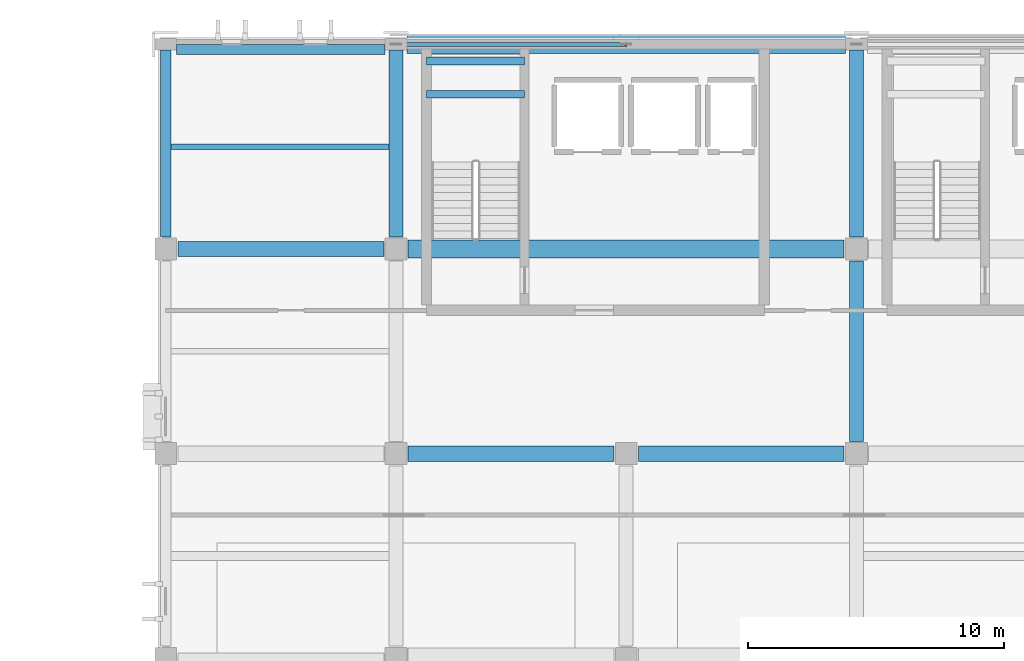
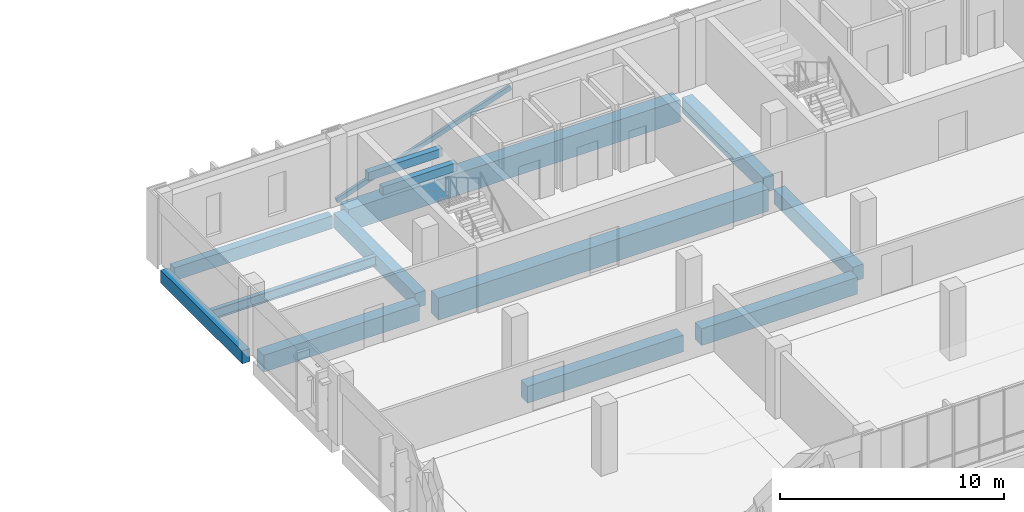
# One storey, part 30 of 85: 13 beams, 1 member.
"""IFC4 building model written with IfcOpenShell, lengths in metres."""

from ifc_helpers import new_model, si_unit, direction, frame, origin, origin_2d, place, context, subcontext, project, spatial, rectangle, hollow_rectangle, i_section, extrude, material, material_profile, profile_set, type_object, element, save


model = new_model("IFC4")

# Units and contexts
model_context = context("Model", 3, precision=1e-05, world=origin(), true_north=direction((0.0, 1.0)))
body_context = subcontext(model_context, "Body", "Model", "MODEL_VIEW")
ifc_project = project(units=[si_unit("LENGTHUNIT", "METRE"), si_unit("AREAUNIT", "SQUARE_METRE"), si_unit("VOLUMEUNIT", "CUBIC_METRE"), si_unit("PLANEANGLEUNIT", "RADIAN"), si_unit("MASSUNIT", "GRAM", prefix="KILO")], contexts=[model_context])

# Site, building, storey
site_placement = place(None, origin())
site = spatial("IfcSite", under=ifc_project, at=site_placement, CompositionType="ELEMENT")
building_placement = place(site_placement, origin())
building = spatial("IfcBuilding", under=site, at=building_placement, Name="Vervanel Yard Central Library", CompositionType="ELEMENT")
storey_placement = place(building_placement, frame((0.0, 0.0, 5.10009765625)))
storey = spatial("IfcBuildingStorey", under=building, at=storey_placement, Name="L01", CompositionType="ELEMENT", Elevation=5.10009765625)

# Beams
ifc_material_1 = material(Name="Concrete C40/50", Category="concrete")
ifc_material_profile_1 = material_profile(ifc_material_1, rectangle(XDim=0.300048828125, YDim=0.449951171875, at=origin_2d()), Name="RC 300x450", Category="concrete")
ifc_profile_set_1 = profile_set([ifc_material_profile_1], Name="Concrete C40/50")
beam_type_1 = type_object("IfcBeamType", Name="Concrete Opening Lintel 300x450", PredefinedType="LINTEL", material=ifc_profile_set_1)
for number, where, z_axis, x_axis, name in (
    (1, (46.199951171875, 112.050048828125, 1.494873046875), (1.0, 0.0, 0.0), (0.0, 1.0, 0.0), "L01 CORE-A Stair Landing Beam 3"),
    (2, (46.199951171875, 113.35009765625, 1.494873046875), (1.0, 0.0, 0.0), (0.0, 1.0, 0.0), "L01 CORE-A Stair Landing Beam 4"),
):
    element("IfcBeam", number, at=place(storey_placement, frame(where, z_axis=z_axis, x_axis=x_axis)), inside=storey, type_object=beam_type_1, Name=name, PredefinedType="LINTEL", context=body_context, shape_type="SweptSolid", body=[
        extrude(rectangle(XDim=0.300048828125, YDim=0.449951171875, at=origin_2d()), origin(), (0.0, 0.0, 1.0), 3.824951171875),
    ])
ifc_material_profile_2 = material_profile(ifc_material_1, rectangle(XDim=0.39990234375, YDim=0.699951171875, at=origin_2d()), Name="RC 400x700", Category="concrete")
ifc_profile_set_2 = profile_set([ifc_material_profile_2], Name="Concrete C40/50")
beam_type_2 = type_object("IfcBeamType", Name="Concrete Perimeter Spandrel 400x700", PredefinedType="SPANDREL", material=ifc_profile_set_2)
beam_1_placement = place(storey_placement, frame((36.425048828125, 113.800048828125, -0.655029296875), z_axis=(1.0, 0.0, 0.0), x_axis=(0.0, 1.0, 0.0)))
element("IfcBeam", 3, at=beam_1_placement, inside=storey, type_object=beam_type_2, Name="L01 Girder SP-01 Y=114.0 X=36.0-45.0", PredefinedType="SPANDREL", context=body_context, shape_type="SweptSolid", body=[
    extrude(rectangle(XDim=0.39990234375, YDim=0.699951171875, at=origin_2d()), origin(), (0.0, 0.0, 1.0), 8.14990234375),
])
beam_2_placement = place(storey_placement, frame((36.0, 106.47509765625, -0.655029296875), z_axis=(0.0, 1.0, 0.0), x_axis=(-1.0, 0.0, 0.0)))
element("IfcBeam", 4, at=beam_2_placement, inside=storey, type_object=beam_type_2, Name="L01 Girder SP-01 X=36.0 Y=106.0-114.0", PredefinedType="SPANDREL", context=body_context, shape_type="SweptSolid", body=[
    extrude(rectangle(XDim=0.39990234375, YDim=0.699951171875, at=origin_2d()), origin(), (0.0, 0.0, 1.0), 7.2998046875),
])
ifc_material_profile_3 = material_profile(ifc_material_1, rectangle(XDim=0.550048828125, YDim=0.800048828125, at=origin_2d()), Name="RC 550x800", Category="concrete")
ifc_profile_set_3 = profile_set([ifc_material_profile_3], Name="Concrete C40/50")
beam_type_3 = type_object("IfcBeamType", Name="Concrete Primary Girder 550x800", PredefinedType="BEAM", material=ifc_profile_set_3)
beam_3_placement = place(storey_placement, frame((45.0, 106.47509765625, -0.705078125), z_axis=(0.0, 1.0, 0.0), x_axis=(-1.0, 0.0, 0.0)))
element("IfcBeam", 5, at=beam_3_placement, inside=storey, type_object=beam_type_3, Name="L01 Girder CB-02 X=45.0 Y=106.0-114.0", PredefinedType="BEAM", context=body_context, shape_type="SweptSolid", body=[
    extrude(rectangle(XDim=0.550048828125, YDim=0.800048828125, at=origin_2d()), origin(), (0.0, 0.0, 1.0), 7.2998046875),
])
beam_4_placement = place(storey_placement, frame((63.0, 98.47509765625, -0.705078125), z_axis=(0.0, 1.0, 0.0), x_axis=(-1.0, 0.0, 0.0)))
element("IfcBeam", 6, at=beam_4_placement, inside=storey, type_object=beam_type_3, Name="L01 Girder CB-02 X=63.0 Y=98.0-106.0", PredefinedType="BEAM", context=body_context, shape_type="SweptSolid", body=[
    extrude(rectangle(XDim=0.550048828125, YDim=0.800048828125, at=origin_2d()), origin(), (0.0, 0.0, 1.0), 7.0498046875),
])
beam_5_placement = place(storey_placement, frame((63.0, 106.47509765625, -0.705078125), z_axis=(0.0, 1.0, 0.0), x_axis=(-1.0, 0.0, 0.0)))
element("IfcBeam", 7, at=beam_5_placement, inside=storey, type_object=beam_type_3, Name="L01 Girder CB-02 X=63.0 Y=106.0-114.0", PredefinedType="BEAM", context=body_context, shape_type="SweptSolid", body=[
    extrude(rectangle(XDim=0.550048828125, YDim=0.800048828125, at=origin_2d()), origin(), (0.0, 0.0, 1.0), 7.2998046875),
])
ifc_material_2 = material(Name="Concrete C45/55", Category="concrete")
ifc_material_profile_4 = material_profile(ifc_material_2, rectangle(XDim=0.60009765625, YDim=0.919921875, at=origin_2d()), Name="RC 600x920", Category="concrete")
ifc_profile_set_4 = profile_set([ifc_material_profile_4], Name="Concrete C45/55")
beam_type_4 = type_object("IfcBeamType", Name="Concrete Stack Girder 600x920", PredefinedType="BEAM", material=ifc_profile_set_4)
for number, where, z_axis, x_axis, name in (
    (8, (45.47509765625, 98.0, -0.76513671875), (1.0, 0.0, 0.0), (0.0, 1.0, 0.0), "L01 Girder CB-07 Y=98.0 X=45.0-54.0"),
    (9, (54.47509765625, 98.0, -0.76513671875), (1.0, 0.0, 0.0), (0.0, 1.0, 0.0), "L01 Girder CB-07 Y=98.0 X=54.0-63.0"),
    (10, (36.47509765625, 106.0, -0.76513671875), (1.0, 0.0, 0.0), (0.0, 1.0, 0.0), "L01 Girder CB-07 Y=106.0 X=36.0-45.0"),
):
    element("IfcBeam", number, at=place(storey_placement, frame(where, z_axis=z_axis, x_axis=x_axis)), inside=storey, type_object=beam_type_4, Name=name, PredefinedType="BEAM", context=body_context, shape_type="SweptSolid", body=[
        extrude(rectangle(XDim=0.60009765625, YDim=0.919921875, at=origin_2d()), origin(), (0.0, 0.0, 1.0), 8.0498046875),
    ])
ifc_material_profile_5 = material_profile(ifc_material_2, rectangle(XDim=0.699951171875, YDim=1.199951171875, at=origin_2d()), Name="RC 700x1200", Category="concrete")
ifc_profile_set_5 = profile_set([ifc_material_profile_5], Name="Concrete C45/55")
beam_type_5 = type_object("IfcBeamType", Name="Concrete Transfer Girder 700x1200", PredefinedType="BEAM", material=ifc_profile_set_5)
beam_6_placement = place(storey_placement, frame((45.47509765625, 106.0, -0.905029296875), z_axis=(1.0, 0.0, 0.0), x_axis=(0.0, 1.0, 0.0)))
element("IfcBeam", 11, at=beam_6_placement, inside=storey, type_object=beam_type_5, Name="L01 Girder TG-01 Y=106.0 X=45.0-63.0", PredefinedType="BEAM", context=body_context, shape_type="SweptSolid", body=[
    extrude(rectangle(XDim=0.699951171875, YDim=1.199951171875, at=origin_2d()), origin(), (0.0, 0.0, 1.0), 17.0498046875),
])
beam_7_placement = place(storey_placement, frame((45.425048828125, 114.0, -0.905029296875), z_axis=(1.0, 0.0, 0.0), x_axis=(0.0, 1.0, 0.0)))
element("IfcBeam", 12, at=beam_7_placement, inside=storey, type_object=beam_type_5, Name="L01 Girder TG-01 Y=114.0 X=45.0-63.0", PredefinedType="BEAM", context=body_context, shape_type="SweptSolid", body=[
    extrude(rectangle(XDim=0.699951171875, YDim=1.199951171875, at=origin_2d()), origin(), (0.0, 0.0, 1.0), 17.14990234375),
])

# Member
ifc_material_3 = material(Name="Steel ASTM A500 Grade C", Category="steel")
ifc_material_profile_6 = material_profile(ifc_material_3, hollow_rectangle(XDim=0.15234375, YDim=0.25390625, WallThickness=0.01171875, at=origin_2d()), Name="HSS10X6X1/2", Category="steel")
ifc_profile_set_6 = profile_set([ifc_material_profile_6], Name="Steel ASTM A500 Grade C")
member_type = type_object("IfcMemberType", Name="Lateral Frame Brace HSS10X6X1/2", PredefinedType="BRACE", material=ifc_profile_set_6)
member_placement = place(storey_placement, frame((45.0, 114.0, 0.14990234375), z_axis=(0.946935147416, 0.0, 0.321424682607), x_axis=(0.0, 1.0, 0.0)))
element("IfcMember", 13, at=member_placement, inside=storey, type_object=member_type, Name="L01 Stack Spine Lateral Brace 1", PredefinedType="BRACE", context=body_context, shape_type="SweptSolid", body=[
    extrude(hollow_rectangle(XDim=0.15234375, YDim=0.25390625, WallThickness=0.01171875, at=origin_2d()), origin(), (0.0, 0.0, 1.0), 9.50439453125),
])

# Beam
ifc_material_4 = material(Name="Steel ASTM A992 Grade 50", Category="steel")
ifc_material_profile_7 = material_profile(ifc_material_4, i_section(OverallWidth=0.2099609375, OverallDepth=0.535888671875, WebThickness=0.010986328125, FlangeThickness=0.017333984375, at=origin_2d()), Name="W21X68", Category="steel")
ifc_profile_set_7 = profile_set([ifc_material_profile_7], Name="Steel ASTM A992 Grade 50")
beam_type_6 = type_object("IfcBeamType", Name="Steel Stack Floor Joist W21X68", PredefinedType="JOIST", material=ifc_profile_set_7)
beam_8_placement = place(storey_placement, frame((36.199951171875, 110.0, -0.572998046875), z_axis=(1.0, 0.0, 0.0), x_axis=(0.0, 1.0, 0.0)))
element("IfcBeam", 14, at=beam_8_placement, inside=storey, type_object=beam_type_6, Name="L01 Floor Joist SJ-04 Y=110.00 X=36.0-45.0", PredefinedType="JOIST", context=body_context, shape_type="SweptSolid", body=[
    extrude(i_section(OverallWidth=0.2099609375, OverallDepth=0.535888671875, WebThickness=0.010986328125, FlangeThickness=0.017333984375, at=origin_2d()), origin(), (0.0, 0.0, 1.0), 8.525146484375),
])

save(model, "model.ifc")
